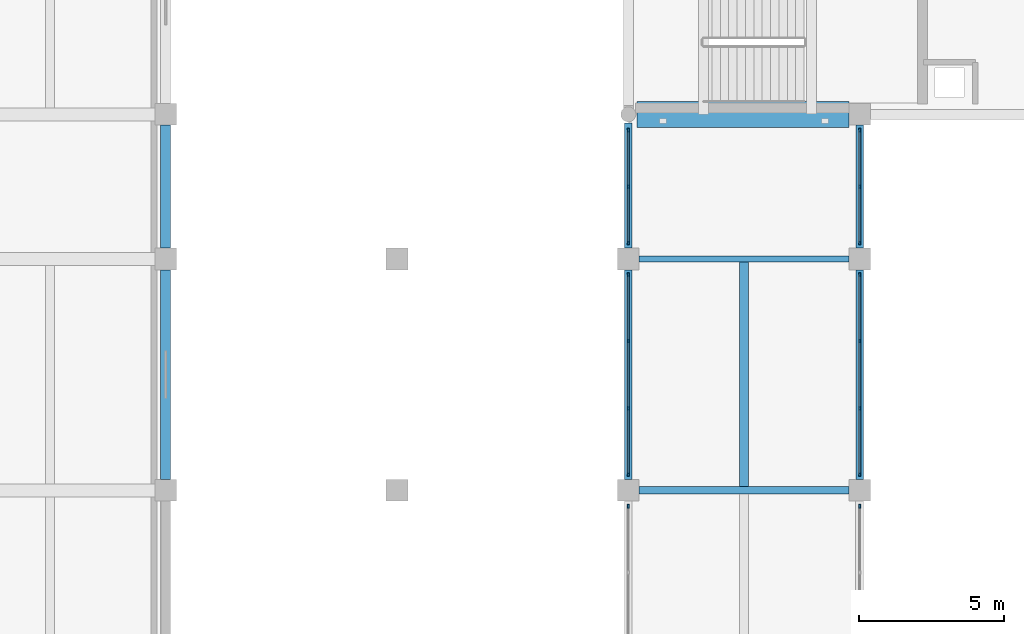
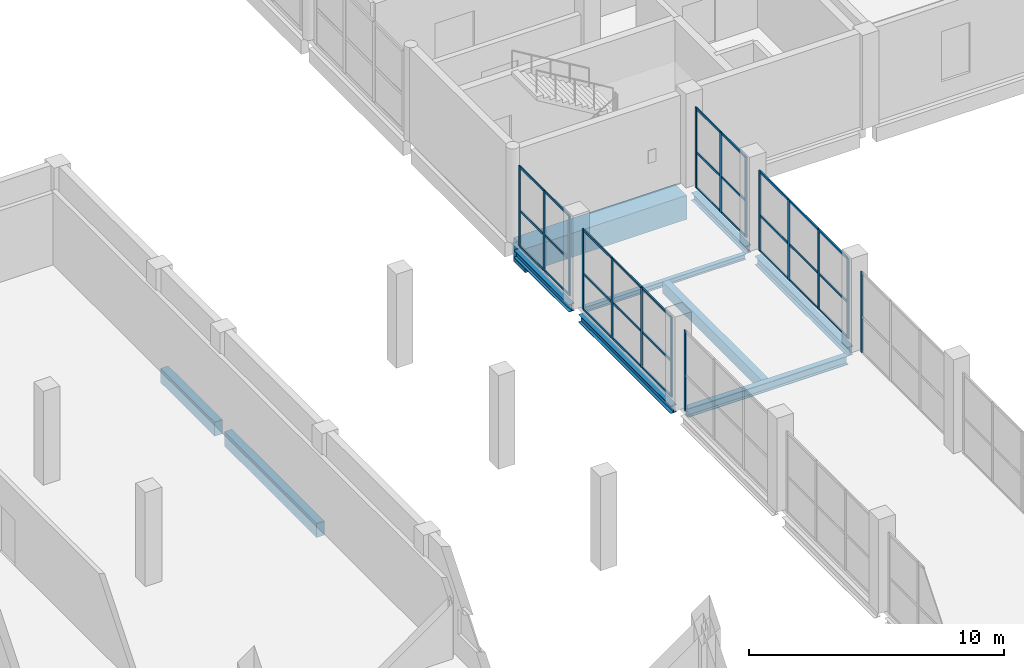
# One storey, part 11 of 53: 46 members, 10 beams, 6 elements without a shape of their own.
"""IFC4 building model written with IfcOpenShell, lengths in metres."""

import ifcopenshell
import ifcopenshell.guid

model = None  # the IFC model being written
_history = None  # IfcOwnerHistory: only IFC2X3 demands one
_inside = {}  # id of a spatial element -> (the spatial element, [elements in it])
_under = {}  # id of a project, library or spatial element -> (it, [spatial elements below it])
_declared = {}  # id of a project -> (the project, [libraries it declares])
_typed = {}  # id of a type object -> (the type object, [elements of that type])
_made_of = {}  # id of a material, layer set ... -> (it, [elements and type objects made of it])


def new_model(schema):
    """Start an empty IFC model of exactly this schema.

    Asked for "IFC4X3", IfcOpenShell would pick the latest addendum, in which some entities
    have other attributes; the version numbers below select the first issue.
    IFC2X3 requires an IfcOwnerHistory on every rooted entity: one is made here for all.
    """
    global model, _history
    if schema == "IFC4X3":
        model = ifcopenshell.file(schema_version=(4, 3, 0, 0))
    else:
        model = ifcopenshell.file(schema=schema)
    _inside.clear()
    _under.clear()
    _declared.clear()
    _typed.clear()
    _made_of.clear()
    _history = None
    if model.schema == "IFC2X3":
        org = make("IfcOrganization", Name="unknown")
        user = make(
            "IfcPersonAndOrganization",
            ThePerson=make("IfcPerson", FamilyName="unknown"),
            TheOrganization=org,
        )
        app = make(
            "IfcApplication",
            ApplicationDeveloper=org,
            Version="unknown",
            ApplicationFullName="unknown",
            ApplicationIdentifier="unknown",
        )
        _history = make(
            "IfcOwnerHistory",
            OwningUser=user,
            OwningApplication=app,
            ChangeAction="ADDED",
            CreationDate=0,
        )
    return model


def make(cls, **values):
    """One entity of the class cls with the attributes given. An attribute that is None is left unset."""
    return model.create_entity(
        cls, **{name: value for name, value in values.items() if value is not None}
    )


def rooted(cls, **values):
    """An entity with a GlobalId (a new one), such as an element, a storey or a relation."""
    return make(cls, GlobalId=ifcopenshell.guid.new(), OwnerHistory=_history, **values)


def si_unit(unit_type, name, prefix=None):
    """IfcSIUnit, for example si_unit("LENGTHUNIT", "METRE", prefix="MILLI")."""
    return make("IfcSIUnit", UnitType=unit_type, Prefix=prefix, Name=name)


def assignment(units):
    """IfcUnitAssignment: the units of a project."""
    return None if units is None else make("IfcUnitAssignment", Units=units)


def point(xyz):
    """IfcCartesianPoint."""
    return None if xyz is None else make("IfcCartesianPoint", Coordinates=xyz)


def direction(xyz):
    """IfcDirection."""
    return None if xyz is None else make("IfcDirection", DirectionRatios=xyz)


def frame(location, z_axis=None, x_axis=None):
    """IfcAxis2Placement3D, a coordinate frame: its origin and axes. An axis left out is left unset."""
    return make(
        "IfcAxis2Placement3D",
        Location=point(location),
        Axis=direction(z_axis),
        RefDirection=direction(x_axis),
    )


def frame_2d(location, x_axis=None):
    """IfcAxis2Placement2D, a coordinate frame in the plane: its origin and x axis."""
    return make(
        "IfcAxis2Placement2D", Location=point(location), RefDirection=direction(x_axis)
    )


def origin():
    """The frame at (0, 0, 0) with its axes left unset."""
    return frame((0.0, 0.0, 0.0))


def origin_2d():
    """The frame at (0, 0) in the plane with its x axis left unset."""
    return frame_2d((0.0, 0.0))


def place(relative_to, where):
    """IfcLocalPlacement: puts the frame where relative to a parent placement (None: the world)."""
    return make(
        "IfcLocalPlacement", PlacementRelTo=relative_to, RelativePlacement=where
    )


def context(
    kind, dimensions, precision=None, world=None, true_north=None, identifier=None
):
    """IfcGeometricRepresentationContext, for example the 3D "Model" context."""
    return make(
        "IfcGeometricRepresentationContext",
        ContextIdentifier=identifier,
        ContextType=kind,
        CoordinateSpaceDimension=dimensions,
        Precision=precision,
        WorldCoordinateSystem=world,
        TrueNorth=true_north,
    )


def subcontext(parent, identifier, kind, view, scale=None):
    """IfcGeometricRepresentationSubContext, for example "Body" below "Model"."""
    return make(
        "IfcGeometricRepresentationSubContext",
        ContextIdentifier=identifier,
        ContextType=kind,
        ParentContext=parent,
        TargetScale=scale,
        TargetView=view,
    )


def project(units=None, contexts=None):
    """IfcProject with its units and contexts."""
    return rooted(
        "IfcProject",
        Name="project",
        RepresentationContexts=contexts,
        UnitsInContext=assignment(units),
    )


def spatial(cls, under=None, at=None, **own):
    """A site, building, storey or space (cls), placed at a placement, below another one or the project."""
    s = rooted(cls, ObjectPlacement=at, **own)
    if under is not None:
        _under.setdefault(under.id(), (under, []))[1].append(s)
    return s


def profile(cls, at=None, kind="AREA", **sizes):
    """A parametric profile (cls). Its sizes go by their IFC names, for example OverallWidth=200.0."""
    return make(cls, ProfileType=kind, Position=at, **sizes)


def rectangle(**sizes):
    """IfcRectangleProfileDef."""
    return profile("IfcRectangleProfileDef", **sizes)


def i_section(**sizes):
    """IfcIShapeProfileDef."""
    return profile("IfcIShapeProfileDef", **sizes)


def extrude(swept, where, along, depth):
    """IfcExtrudedAreaSolid: the profile swept, set in the frame where, extruded along a direction by depth."""
    return make(
        "IfcExtrudedAreaSolid",
        SweptArea=swept,
        Position=where,
        ExtrudedDirection=direction(along),
        Depth=depth,
    )


def shape(context_of_items, identifier, shape_type, items):
    """IfcShapeRepresentation: the items that make up one representation, for example the "Body"."""
    return make(
        "IfcShapeRepresentation",
        ContextOfItems=context_of_items,
        RepresentationIdentifier=identifier,
        RepresentationType=shape_type,
        Items=items,
    )


def material(Name=None, Category=None):
    """IfcMaterial."""
    return make("IfcMaterial", Name=Name, Category=Category)


def layer(
    of_material, thickness, ventilated=None, Name=None, Category=None, Priority=None
):
    """IfcMaterialLayer: one layer of a wall or slab, of a material (None: an air gap)."""
    return make(
        "IfcMaterialLayer",
        Material=of_material,
        LayerThickness=thickness,
        IsVentilated=ventilated,
        Name=Name,
        Category=Category,
        Priority=Priority,
    )


def layer_set(layers, Name=None):
    """IfcMaterialLayerSet."""
    return make("IfcMaterialLayerSet", MaterialLayers=layers, LayerSetName=Name)


def material_profile(
    of_material, cross_section, Name=None, Category=None, Priority=None
):
    """IfcMaterialProfile: a cross section and its material."""
    return make(
        "IfcMaterialProfile",
        Name=Name,
        Material=of_material,
        Profile=cross_section,
        Priority=Priority,
        Category=Category,
    )


def profile_set(profiles, Name=None, composite=None):
    """IfcMaterialProfileSet."""
    return make(
        "IfcMaterialProfileSet",
        Name=Name,
        MaterialProfiles=profiles,
        CompositeProfile=composite,
    )


def made_of(thing, what):
    """Note that an element or type object is made of a material, layer set ...; save() writes the relation."""
    if what is not None:
        _made_of.setdefault(what.id(), (what, []))[1].append(thing)
    return thing


def type_object(cls, material=None, **own):
    """A type object (cls), such as IfcWallType, which elements share."""
    return made_of(rooted(cls, **own), material)


def element(
    cls,
    number,
    at=None,
    inside=None,
    cuts=None,
    type_object=None,
    material=None,
    context=None,
    identifier="Body",
    shape_type=None,
    held_by="IfcProductDefinitionShape",
    body=None,
    shapes=None,
    **own,
):
    """One element of the class cls, such as IfcWall. Its Tag is "e" and its number.

    at: its placement. inside: the storey or other place that contains it. cuts: it is an
    opening in that element (IfcRelVoidsElement). A single representation is given by context,
    identifier, shape_type and body (its items); several are given by shapes. held_by: the class
    of the entity that holds the representations. save() writes the other relations.
    """
    e = rooted(cls, Tag="e%d" % number, ObjectPlacement=at, **own)
    if body is not None:
        shapes = [shape(context, identifier, shape_type, body)]
    if shapes is not None:
        e.Representation = make(held_by, Representations=shapes)
    if inside is not None:
        _inside.setdefault(inside.id(), (inside, []))[1].append(e)
    if cuts is not None:
        rooted(
            "IfcRelVoidsElement", RelatingBuildingElement=cuts, RelatedOpeningElement=e
        )
    if type_object is not None:
        _typed.setdefault(type_object.id(), (type_object, []))[1].append(e)
    return made_of(e, material)


def aggregate(whole, parts):
    """IfcRelAggregates: a whole, such as a stair, and the parts it consists of."""
    return rooted("IfcRelAggregates", RelatingObject=whole, RelatedObjects=parts)


def save(model, path):
    """Write the relations noted so far, then the file.

    IfcRelAggregates (storeys below a building ...), IfcRelContainedInSpatialStructure (elements
    in a storey), IfcRelDefinesByType, IfcRelAssociatesMaterial and IfcRelDeclares: one each for
    every whole, place, type object, material and project.
    """
    for whole, parts in _under.values():
        aggregate(whole, parts)
    for where, things in _inside.values():
        rooted(
            "IfcRelContainedInSpatialStructure",
            RelatedElements=things,
            RelatingStructure=where,
        )
    for kind, things in _typed.values():
        rooted("IfcRelDefinesByType", RelatedObjects=things, RelatingType=kind)
    for what, things in _made_of.values():
        rooted("IfcRelAssociatesMaterial", RelatedObjects=things, RelatingMaterial=what)
    for by, libraries in _declared.values():
        rooted("IfcRelDeclares", RelatingContext=by, RelatedDefinitions=libraries)
    model.write(path)


model = new_model("IFC4")

# Units and contexts
model_context = context("Model", 3, precision=1e-05, world=origin(), true_north=direction((0.0, 1.0)))
body_context = subcontext(model_context, "Body", "Model", "MODEL_VIEW")
ifc_project = project(units=[si_unit("LENGTHUNIT", "METRE"), si_unit("AREAUNIT", "SQUARE_METRE"), si_unit("VOLUMEUNIT", "CUBIC_METRE"), si_unit("PLANEANGLEUNIT", "RADIAN"), si_unit("MASSUNIT", "GRAM", prefix="KILO")], contexts=[model_context])

# Site, building, storey
site_placement = place(None, origin())
site = spatial("IfcSite", under=ifc_project, at=site_placement, CompositionType="ELEMENT")
building_placement = place(site_placement, origin())
building = spatial("IfcBuilding", under=site, at=building_placement, Name="Qorikala Patio Media Centre", CompositionType="ELEMENT")
storey_placement = place(building_placement, frame((0.0, 0.0, 5.39990234375)))
storey = spatial("IfcBuildingStorey", under=building, at=storey_placement, Name="L01", CompositionType="ELEMENT", Elevation=5.39990234375)

# Beam
ifc_material_1 = material(Name="Concrete C35/45", Category="concrete")
ifc_material_profile_1 = material_profile(ifc_material_1, rectangle(XDim=0.89990234375, YDim=1.14990234375, at=origin_2d()), Name="RC 900x1150")
ifc_profile_set_1 = profile_set([ifc_material_profile_1], Name="Concrete C35/45")
beam_type_1 = type_object("IfcBeamType", Name="BM-TR900X1150", PredefinedType="BEAM", material=ifc_profile_set_1)
beam_1_placement = place(storey_placement, frame((51.300048828125, 64.0, -0.875), z_axis=(1.0, 0.0, 0.0), x_axis=(0.0, 1.0, 0.0)))
element("IfcBeam", 1, at=beam_1_placement, inside=storey, type_object=beam_type_1, Name="L01 Grid 64 Beam 0502", PredefinedType="BEAM", context=body_context, shape_type="SweptSolid", body=[
    extrude(rectangle(XDim=0.89990234375, YDim=1.14990234375, at=origin_2d()), origin(), (0.0, 0.0, 1.0), 7.324951171875),
])

# Curtain wall, member
ifc_material_2 = material(Name="Bronze Anodised Aluminium and Low-E Glass", Category="aluminium")
ifc_layer_1 = layer(ifc_material_2, 0.159912109375)
ifc_layer_set_1 = layer_set([ifc_layer_1], Name="Bronze Anodised Aluminium and Low-E Glass")
curtain_wall_type_1 = type_object("IfcCurtainWallType", Name="CW-BRG-696X385", PredefinedType="USERDEFINED", material=ifc_layer_set_1)
curtain_wall_1_placement = place(storey_placement, origin())
curtain_wall_1 = element("IfcCurtainWall", 2, at=curtain_wall_1_placement, inside=storey, type_object=curtain_wall_type_1, Name="L01 Courtyard Curtain Wall 018", ObjectType="COURTYARD CURTAIN WALL", PredefinedType="USERDEFINED")
ifc_material_3 = material(Name="Bronze Anodised Aluminium", Category="aluminium")
ifc_material_profile_2 = material_profile(ifc_material_3, rectangle(XDim=0.06005859375, YDim=0.1298828125, at=origin_2d()), Name="ALU MULLION 60x130")
ifc_profile_set_2 = profile_set([ifc_material_profile_2], Name="Bronze Anodised Aluminium")
member_type_1 = type_object("IfcMemberType", Name="CWM-60X130", PredefinedType="MULLION", material=ifc_profile_set_2)
member_1_placement = place(storey_placement, frame((51.0, 50.449951171875, 0.0), z_axis=(0.0, 0.0, 1.0), x_axis=(-1.0, 0.0, 0.0)))
member_1 = element("IfcMember", 3, at=member_1_placement, type_object=member_type_1, Name="CWB696385 mullion 4", PredefinedType="MULLION", context=body_context, shape_type="SweptSolid", body=[
    extrude(rectangle(XDim=0.06005859375, YDim=0.1298828125, at=origin_2d()), origin(), (0.0, 0.0, 1.0), 3.85009765625),
])
aggregate(curtain_wall_1, [member_1])

# Curtain wall, members
curtain_wall_2_placement = place(storey_placement, origin())
curtain_wall_2 = element("IfcCurtainWall", 4, at=curtain_wall_2_placement, inside=storey, type_object=curtain_wall_type_1, Name="L01 Courtyard Curtain Wall 019", ObjectType="COURTYARD CURTAIN WALL", PredefinedType="USERDEFINED")
member_2_placement = place(storey_placement, frame((51.0, 51.550048828125, 0.0), z_axis=(0.0, 0.0, 1.0), x_axis=(-1.0, 0.0, 0.0)))
member_2 = element("IfcMember", 5, at=member_2_placement, type_object=member_type_1, Name="CWB696385 mullion 1", PredefinedType="MULLION", context=body_context, shape_type="SweptSolid", body=[
    extrude(rectangle(XDim=0.06005859375, YDim=0.1298828125, at=origin_2d()), origin(), (0.0, 0.0, 1.0), 3.85009765625),
])
member_3_placement = place(storey_placement, frame((51.0, 53.840087890625, 0.0), z_axis=(0.0, 0.0, 1.0), x_axis=(-1.0, 0.0, 0.0)))
member_3 = element("IfcMember", 6, at=member_3_placement, type_object=member_type_1, Name="CWB696385 mullion 2", PredefinedType="MULLION", context=body_context, shape_type="SweptSolid", body=[
    extrude(rectangle(XDim=0.06005859375, YDim=0.1298828125, at=origin_2d()), origin(), (0.0, 0.0, 1.0), 3.85009765625),
])
member_4_placement = place(storey_placement, frame((51.0, 56.159912109375, 0.0), z_axis=(0.0, 0.0, 1.0), x_axis=(-1.0, 0.0, 0.0)))
member_4 = element("IfcMember", 7, at=member_4_placement, type_object=member_type_1, Name="CWB696385 mullion 3", PredefinedType="MULLION", context=body_context, shape_type="SweptSolid", body=[
    extrude(rectangle(XDim=0.06005859375, YDim=0.1298828125, at=origin_2d()), origin(), (0.0, 0.0, 1.0), 3.85009765625),
])
member_5_placement = place(storey_placement, frame((51.0, 58.449951171875, 0.0), z_axis=(0.0, 0.0, 1.0), x_axis=(-1.0, 0.0, 0.0)))
member_5 = element("IfcMember", 8, at=member_5_placement, type_object=member_type_1, Name="CWB696385 mullion 4", PredefinedType="MULLION", context=body_context, shape_type="SweptSolid", body=[
    extrude(rectangle(XDim=0.06005859375, YDim=0.1298828125, at=origin_2d()), origin(), (0.0, 0.0, 1.0), 3.85009765625),
])

ifc_layer_2 = layer(ifc_material_2, 0.159912109375)
ifc_layer_set_2 = layer_set([ifc_layer_2], Name="Bronze Anodised Aluminium and Low-E Glass")
curtain_wall_type_2 = type_object("IfcCurtainWallType", Name="CW-BRG-396X385", PredefinedType="USERDEFINED", material=ifc_layer_set_2)
curtain_wall_3_placement = place(storey_placement, origin())
curtain_wall_3 = element("IfcCurtainWall", 9, at=curtain_wall_3_placement, inside=storey, type_object=curtain_wall_type_2, Name="L01 Courtyard Curtain Wall 020", ObjectType="COURTYARD CURTAIN WALL", PredefinedType="USERDEFINED")
member_6_placement = place(storey_placement, frame((51.0, 59.550048828125, 0.0), z_axis=(0.0, 0.0, 1.0), x_axis=(-1.0, 0.0, 0.0)))
member_6 = element("IfcMember", 10, at=member_6_placement, type_object=member_type_1, Name="CWB396385 mullion 1", PredefinedType="MULLION", context=body_context, shape_type="SweptSolid", body=[
    extrude(rectangle(XDim=0.06005859375, YDim=0.1298828125, at=origin_2d()), origin(), (0.0, 0.0, 1.0), 3.85009765625),
])
member_7_placement = place(storey_placement, frame((51.0, 61.5, 0.0), z_axis=(0.0, 0.0, 1.0), x_axis=(-1.0, 0.0, 0.0)))
member_7 = element("IfcMember", 11, at=member_7_placement, type_object=member_type_1, Name="CWB396385 mullion 2", PredefinedType="MULLION", context=body_context, shape_type="SweptSolid", body=[
    extrude(rectangle(XDim=0.06005859375, YDim=0.1298828125, at=origin_2d()), origin(), (0.0, 0.0, 1.0), 3.85009765625),
])
member_8_placement = place(storey_placement, frame((51.0, 63.449951171875, 0.0), z_axis=(0.0, 0.0, 1.0), x_axis=(-1.0, 0.0, 0.0)))
member_8 = element("IfcMember", 12, at=member_8_placement, type_object=member_type_1, Name="CWB396385 mullion 3", PredefinedType="MULLION", context=body_context, shape_type="SweptSolid", body=[
    extrude(rectangle(XDim=0.06005859375, YDim=0.1298828125, at=origin_2d()), origin(), (0.0, 0.0, 1.0), 3.85009765625),
])

curtain_wall_4_placement = place(storey_placement, origin())
curtain_wall_4 = element("IfcCurtainWall", 13, at=curtain_wall_4_placement, inside=storey, type_object=curtain_wall_type_2, Name="L01 Courtyard Curtain Wall 025", ObjectType="COURTYARD CURTAIN WALL", PredefinedType="USERDEFINED")
member_9_placement = place(storey_placement, frame((59.0, 63.449951171875, 0.0), z_axis=(0.0, 0.0, 1.0), x_axis=(1.0, 0.0, 0.0)))
member_9 = element("IfcMember", 14, at=member_9_placement, type_object=member_type_1, Name="CWB396385 mullion 1", PredefinedType="MULLION", context=body_context, shape_type="SweptSolid", body=[
    extrude(rectangle(XDim=0.06005859375, YDim=0.1298828125, at=origin_2d()), origin(), (0.0, 0.0, 1.0), 3.85009765625),
])
member_10_placement = place(storey_placement, frame((59.0, 61.5, 0.0), z_axis=(0.0, 0.0, 1.0), x_axis=(1.0, 0.0, 0.0)))
member_10 = element("IfcMember", 15, at=member_10_placement, type_object=member_type_1, Name="CWB396385 mullion 2", PredefinedType="MULLION", context=body_context, shape_type="SweptSolid", body=[
    extrude(rectangle(XDim=0.06005859375, YDim=0.1298828125, at=origin_2d()), origin(), (0.0, 0.0, 1.0), 3.85009765625),
])
member_11_placement = place(storey_placement, frame((59.0, 59.550048828125, 0.0), z_axis=(0.0, 0.0, 1.0), x_axis=(1.0, 0.0, 0.0)))
member_11 = element("IfcMember", 16, at=member_11_placement, type_object=member_type_1, Name="CWB396385 mullion 3", PredefinedType="MULLION", context=body_context, shape_type="SweptSolid", body=[
    extrude(rectangle(XDim=0.06005859375, YDim=0.1298828125, at=origin_2d()), origin(), (0.0, 0.0, 1.0), 3.85009765625),
])

curtain_wall_5_placement = place(storey_placement, origin())
curtain_wall_5 = element("IfcCurtainWall", 17, at=curtain_wall_5_placement, inside=storey, type_object=curtain_wall_type_1, Name="L01 Courtyard Curtain Wall 026", ObjectType="COURTYARD CURTAIN WALL", PredefinedType="USERDEFINED")
member_12_placement = place(storey_placement, frame((59.0, 58.449951171875, 0.0), z_axis=(0.0, 0.0, 1.0), x_axis=(1.0, 0.0, 0.0)))
member_12 = element("IfcMember", 18, at=member_12_placement, type_object=member_type_1, Name="CWB696385 mullion 1", PredefinedType="MULLION", context=body_context, shape_type="SweptSolid", body=[
    extrude(rectangle(XDim=0.06005859375, YDim=0.1298828125, at=origin_2d()), origin(), (0.0, 0.0, 1.0), 3.85009765625),
])
member_13_placement = place(storey_placement, frame((59.0, 56.159912109375, 0.0), z_axis=(0.0, 0.0, 1.0), x_axis=(1.0, 0.0, 0.0)))
member_13 = element("IfcMember", 19, at=member_13_placement, type_object=member_type_1, Name="CWB696385 mullion 2", PredefinedType="MULLION", context=body_context, shape_type="SweptSolid", body=[
    extrude(rectangle(XDim=0.06005859375, YDim=0.1298828125, at=origin_2d()), origin(), (0.0, 0.0, 1.0), 3.85009765625),
])
member_14_placement = place(storey_placement, frame((59.0, 53.840087890625, 0.0), z_axis=(0.0, 0.0, 1.0), x_axis=(1.0, 0.0, 0.0)))
member_14 = element("IfcMember", 20, at=member_14_placement, type_object=member_type_1, Name="CWB696385 mullion 3", PredefinedType="MULLION", context=body_context, shape_type="SweptSolid", body=[
    extrude(rectangle(XDim=0.06005859375, YDim=0.1298828125, at=origin_2d()), origin(), (0.0, 0.0, 1.0), 3.85009765625),
])
member_15_placement = place(storey_placement, frame((59.0, 51.550048828125, 0.0), z_axis=(0.0, 0.0, 1.0), x_axis=(1.0, 0.0, 0.0)))
member_15 = element("IfcMember", 21, at=member_15_placement, type_object=member_type_1, Name="CWB696385 mullion 4", PredefinedType="MULLION", context=body_context, shape_type="SweptSolid", body=[
    extrude(rectangle(XDim=0.06005859375, YDim=0.1298828125, at=origin_2d()), origin(), (0.0, 0.0, 1.0), 3.85009765625),
])

# Curtain wall, member
curtain_wall_6_placement = place(storey_placement, origin())
curtain_wall_6 = element("IfcCurtainWall", 22, at=curtain_wall_6_placement, inside=storey, type_object=curtain_wall_type_1, Name="L01 Courtyard Curtain Wall 027", ObjectType="COURTYARD CURTAIN WALL", PredefinedType="USERDEFINED")
member_16_placement = place(storey_placement, frame((59.0, 50.449951171875, 0.0), z_axis=(0.0, 0.0, 1.0), x_axis=(1.0, 0.0, 0.0)))
member_16 = element("IfcMember", 23, at=member_16_placement, type_object=member_type_1, Name="CWB696385 mullion 1", PredefinedType="MULLION", context=body_context, shape_type="SweptSolid", body=[
    extrude(rectangle(XDim=0.06005859375, YDim=0.1298828125, at=origin_2d()), origin(), (0.0, 0.0, 1.0), 3.85009765625),
])
aggregate(curtain_wall_6, [member_16])

# Member
ifc_material_profile_3 = material_profile(ifc_material_3, rectangle(XDim=0.06005859375, YDim=0.10009765625, at=origin_2d()), Name="ALU TRANSOM 60x100")
ifc_profile_set_3 = profile_set([ifc_material_profile_3], Name="Bronze Anodised Aluminium")
member_type_2 = type_object("IfcMemberType", Name="CWT-60X100", PredefinedType="USERDEFINED", material=ifc_profile_set_3)
member_17_placement = place(storey_placement, frame((51.0, 51.580078125, 0.030029296875), z_axis=(0.0, 1.0, 0.0), x_axis=(-1.0, 0.0, 0.0)))
member_17 = element("IfcMember", 24, at=member_17_placement, type_object=member_type_2, Name="CWB696385 transom 1.1", ObjectType="TRANSOM", PredefinedType="USERDEFINED", context=body_context, shape_type="SweptSolid", body=[
    extrude(rectangle(XDim=0.06005859375, YDim=0.10009765625, at=origin_2d()), origin(), (0.0, 0.0, 1.0), 2.22998046875),
])

member_18_placement = place(storey_placement, frame((51.0, 51.580078125, 1.732666015625), z_axis=(0.0, 1.0, 0.0), x_axis=(-1.0, 0.0, 0.0)))
member_18 = element("IfcMember", 25, at=member_18_placement, type_object=member_type_2, Name="CWB696385 transom 1.2", ObjectType="TRANSOM", PredefinedType="USERDEFINED", context=body_context, shape_type="SweptSolid", body=[
    extrude(rectangle(XDim=0.06005859375, YDim=0.10009765625, at=origin_2d()), origin(), (0.0, 0.0, 1.0), 2.22998046875),
])

member_19_placement = place(storey_placement, frame((51.0, 51.580078125, 3.820068359375), z_axis=(0.0, 1.0, 0.0), x_axis=(-1.0, 0.0, 0.0)))
member_19 = element("IfcMember", 26, at=member_19_placement, type_object=member_type_2, Name="CWB696385 transom 1.3", ObjectType="TRANSOM", PredefinedType="USERDEFINED", context=body_context, shape_type="SweptSolid", body=[
    extrude(rectangle(XDim=0.06005859375, YDim=0.10009765625, at=origin_2d()), origin(), (0.0, 0.0, 1.0), 2.22998046875),
])

member_20_placement = place(storey_placement, frame((51.0, 53.8701171875, 0.030029296875), z_axis=(0.0, 1.0, 0.0), x_axis=(-1.0, 0.0, 0.0)))
member_20 = element("IfcMember", 27, at=member_20_placement, type_object=member_type_2, Name="CWB696385 transom 2.1", ObjectType="TRANSOM", PredefinedType="USERDEFINED", context=body_context, shape_type="SweptSolid", body=[
    extrude(rectangle(XDim=0.06005859375, YDim=0.10009765625, at=origin_2d()), origin(), (0.0, 0.0, 1.0), 2.259765625),
])

member_21_placement = place(storey_placement, frame((51.0, 53.8701171875, 1.732666015625), z_axis=(0.0, 1.0, 0.0), x_axis=(-1.0, 0.0, 0.0)))
member_21 = element("IfcMember", 28, at=member_21_placement, type_object=member_type_2, Name="CWB696385 transom 2.2", ObjectType="TRANSOM", PredefinedType="USERDEFINED", context=body_context, shape_type="SweptSolid", body=[
    extrude(rectangle(XDim=0.06005859375, YDim=0.10009765625, at=origin_2d()), origin(), (0.0, 0.0, 1.0), 2.259765625),
])

member_22_placement = place(storey_placement, frame((51.0, 53.8701171875, 3.820068359375), z_axis=(0.0, 1.0, 0.0), x_axis=(-1.0, 0.0, 0.0)))
member_22 = element("IfcMember", 29, at=member_22_placement, type_object=member_type_2, Name="CWB696385 transom 2.3", ObjectType="TRANSOM", PredefinedType="USERDEFINED", context=body_context, shape_type="SweptSolid", body=[
    extrude(rectangle(XDim=0.06005859375, YDim=0.10009765625, at=origin_2d()), origin(), (0.0, 0.0, 1.0), 2.259765625),
])

member_23_placement = place(storey_placement, frame((51.0, 56.18994140625, 0.030029296875), z_axis=(0.0, 1.0, 0.0), x_axis=(-1.0, 0.0, 0.0)))
member_23 = element("IfcMember", 30, at=member_23_placement, type_object=member_type_2, Name="CWB696385 transom 3.1", ObjectType="TRANSOM", PredefinedType="USERDEFINED", context=body_context, shape_type="SweptSolid", body=[
    extrude(rectangle(XDim=0.06005859375, YDim=0.10009765625, at=origin_2d()), origin(), (0.0, 0.0, 1.0), 2.22998046875),
])

member_24_placement = place(storey_placement, frame((51.0, 56.18994140625, 1.732666015625), z_axis=(0.0, 1.0, 0.0), x_axis=(-1.0, 0.0, 0.0)))
member_24 = element("IfcMember", 31, at=member_24_placement, type_object=member_type_2, Name="CWB696385 transom 3.2", ObjectType="TRANSOM", PredefinedType="USERDEFINED", context=body_context, shape_type="SweptSolid", body=[
    extrude(rectangle(XDim=0.06005859375, YDim=0.10009765625, at=origin_2d()), origin(), (0.0, 0.0, 1.0), 2.22998046875),
])

member_25_placement = place(storey_placement, frame((51.0, 56.18994140625, 3.820068359375), z_axis=(0.0, 1.0, 0.0), x_axis=(-1.0, 0.0, 0.0)))
member_25 = element("IfcMember", 32, at=member_25_placement, type_object=member_type_2, Name="CWB696385 transom 3.3", ObjectType="TRANSOM", PredefinedType="USERDEFINED", context=body_context, shape_type="SweptSolid", body=[
    extrude(rectangle(XDim=0.06005859375, YDim=0.10009765625, at=origin_2d()), origin(), (0.0, 0.0, 1.0), 2.22998046875),
])

aggregate(curtain_wall_2, [member_2, member_3, member_4, member_5, member_17, member_18, member_19, member_20, member_21, member_22, member_23, member_24, member_25])

member_26_placement = place(storey_placement, frame((51.0, 59.580078125, 0.030029296875), z_axis=(0.0, 1.0, 0.0), x_axis=(-1.0, 0.0, 0.0)))
member_26 = element("IfcMember", 33, at=member_26_placement, type_object=member_type_2, Name="CWB396385 transom 1.1", ObjectType="TRANSOM", PredefinedType="USERDEFINED", context=body_context, shape_type="SweptSolid", body=[
    extrude(rectangle(XDim=0.06005859375, YDim=0.10009765625, at=origin_2d()), origin(), (0.0, 0.0, 1.0), 1.889892578125),
])

member_27_placement = place(storey_placement, frame((51.0, 59.580078125, 1.732666015625), z_axis=(0.0, 1.0, 0.0), x_axis=(-1.0, 0.0, 0.0)))
member_27 = element("IfcMember", 34, at=member_27_placement, type_object=member_type_2, Name="CWB396385 transom 1.2", ObjectType="TRANSOM", PredefinedType="USERDEFINED", context=body_context, shape_type="SweptSolid", body=[
    extrude(rectangle(XDim=0.06005859375, YDim=0.10009765625, at=origin_2d()), origin(), (0.0, 0.0, 1.0), 1.889892578125),
])

member_28_placement = place(storey_placement, frame((51.0, 59.580078125, 3.820068359375), z_axis=(0.0, 1.0, 0.0), x_axis=(-1.0, 0.0, 0.0)))
member_28 = element("IfcMember", 35, at=member_28_placement, type_object=member_type_2, Name="CWB396385 transom 1.3", ObjectType="TRANSOM", PredefinedType="USERDEFINED", context=body_context, shape_type="SweptSolid", body=[
    extrude(rectangle(XDim=0.06005859375, YDim=0.10009765625, at=origin_2d()), origin(), (0.0, 0.0, 1.0), 1.889892578125),
])

member_29_placement = place(storey_placement, frame((51.0, 61.530029296875, 0.030029296875), z_axis=(0.0, 1.0, 0.0), x_axis=(-1.0, 0.0, 0.0)))
member_29 = element("IfcMember", 36, at=member_29_placement, type_object=member_type_2, Name="CWB396385 transom 2.1", ObjectType="TRANSOM", PredefinedType="USERDEFINED", context=body_context, shape_type="SweptSolid", body=[
    extrude(rectangle(XDim=0.06005859375, YDim=0.10009765625, at=origin_2d()), origin(), (0.0, 0.0, 1.0), 1.889892578125),
])

member_30_placement = place(storey_placement, frame((51.0, 61.530029296875, 1.732666015625), z_axis=(0.0, 1.0, 0.0), x_axis=(-1.0, 0.0, 0.0)))
member_30 = element("IfcMember", 37, at=member_30_placement, type_object=member_type_2, Name="CWB396385 transom 2.2", ObjectType="TRANSOM", PredefinedType="USERDEFINED", context=body_context, shape_type="SweptSolid", body=[
    extrude(rectangle(XDim=0.06005859375, YDim=0.10009765625, at=origin_2d()), origin(), (0.0, 0.0, 1.0), 1.889892578125),
])

member_31_placement = place(storey_placement, frame((51.0, 61.530029296875, 3.820068359375), z_axis=(0.0, 1.0, 0.0), x_axis=(-1.0, 0.0, 0.0)))
member_31 = element("IfcMember", 38, at=member_31_placement, type_object=member_type_2, Name="CWB396385 transom 2.3", ObjectType="TRANSOM", PredefinedType="USERDEFINED", context=body_context, shape_type="SweptSolid", body=[
    extrude(rectangle(XDim=0.06005859375, YDim=0.10009765625, at=origin_2d()), origin(), (0.0, 0.0, 1.0), 1.889892578125),
])

aggregate(curtain_wall_3, [member_6, member_7, member_8, member_26, member_27, member_28, member_29, member_30, member_31])

member_32_placement = place(storey_placement, frame((59.0, 63.419921875, 0.030029296875), z_axis=(0.0, -1.0, 0.0), x_axis=(1.0, 0.0, 0.0)))
member_32 = element("IfcMember", 39, at=member_32_placement, type_object=member_type_2, Name="CWB396385 transom 1.1", ObjectType="TRANSOM", PredefinedType="USERDEFINED", context=body_context, shape_type="SweptSolid", body=[
    extrude(rectangle(XDim=0.06005859375, YDim=0.10009765625, at=origin_2d()), origin(), (0.0, 0.0, 1.0), 1.889892578125),
])

member_33_placement = place(storey_placement, frame((59.0, 63.419921875, 1.732666015625), z_axis=(0.0, -1.0, 0.0), x_axis=(1.0, 0.0, 0.0)))
member_33 = element("IfcMember", 40, at=member_33_placement, type_object=member_type_2, Name="CWB396385 transom 1.2", ObjectType="TRANSOM", PredefinedType="USERDEFINED", context=body_context, shape_type="SweptSolid", body=[
    extrude(rectangle(XDim=0.06005859375, YDim=0.10009765625, at=origin_2d()), origin(), (0.0, 0.0, 1.0), 1.889892578125),
])

member_34_placement = place(storey_placement, frame((59.0, 63.419921875, 3.820068359375), z_axis=(0.0, -1.0, 0.0), x_axis=(1.0, 0.0, 0.0)))
member_34 = element("IfcMember", 41, at=member_34_placement, type_object=member_type_2, Name="CWB396385 transom 1.3", ObjectType="TRANSOM", PredefinedType="USERDEFINED", context=body_context, shape_type="SweptSolid", body=[
    extrude(rectangle(XDim=0.06005859375, YDim=0.10009765625, at=origin_2d()), origin(), (0.0, 0.0, 1.0), 1.889892578125),
])

member_35_placement = place(storey_placement, frame((59.0, 61.469970703125, 0.030029296875), z_axis=(0.0, -1.0, 0.0), x_axis=(1.0, 0.0, 0.0)))
member_35 = element("IfcMember", 42, at=member_35_placement, type_object=member_type_2, Name="CWB396385 transom 2.1", ObjectType="TRANSOM", PredefinedType="USERDEFINED", context=body_context, shape_type="SweptSolid", body=[
    extrude(rectangle(XDim=0.06005859375, YDim=0.10009765625, at=origin_2d()), origin(), (0.0, 0.0, 1.0), 1.889892578125),
])

member_36_placement = place(storey_placement, frame((59.0, 61.469970703125, 1.732666015625), z_axis=(0.0, -1.0, 0.0), x_axis=(1.0, 0.0, 0.0)))
member_36 = element("IfcMember", 43, at=member_36_placement, type_object=member_type_2, Name="CWB396385 transom 2.2", ObjectType="TRANSOM", PredefinedType="USERDEFINED", context=body_context, shape_type="SweptSolid", body=[
    extrude(rectangle(XDim=0.06005859375, YDim=0.10009765625, at=origin_2d()), origin(), (0.0, 0.0, 1.0), 1.889892578125),
])

member_37_placement = place(storey_placement, frame((59.0, 61.469970703125, 3.820068359375), z_axis=(0.0, -1.0, 0.0), x_axis=(1.0, 0.0, 0.0)))
member_37 = element("IfcMember", 44, at=member_37_placement, type_object=member_type_2, Name="CWB396385 transom 2.3", ObjectType="TRANSOM", PredefinedType="USERDEFINED", context=body_context, shape_type="SweptSolid", body=[
    extrude(rectangle(XDim=0.06005859375, YDim=0.10009765625, at=origin_2d()), origin(), (0.0, 0.0, 1.0), 1.889892578125),
])

aggregate(curtain_wall_4, [member_9, member_10, member_11, member_32, member_33, member_34, member_35, member_36, member_37])

member_38_placement = place(storey_placement, frame((59.0, 58.419921875, 0.030029296875), z_axis=(0.0, -1.0, 0.0), x_axis=(1.0, 0.0, 0.0)))
member_38 = element("IfcMember", 45, at=member_38_placement, type_object=member_type_2, Name="CWB696385 transom 1.1", ObjectType="TRANSOM", PredefinedType="USERDEFINED", context=body_context, shape_type="SweptSolid", body=[
    extrude(rectangle(XDim=0.06005859375, YDim=0.10009765625, at=origin_2d()), origin(), (0.0, 0.0, 1.0), 2.22998046875),
])

member_39_placement = place(storey_placement, frame((59.0, 58.419921875, 1.732666015625), z_axis=(0.0, -1.0, 0.0), x_axis=(1.0, 0.0, 0.0)))
member_39 = element("IfcMember", 46, at=member_39_placement, type_object=member_type_2, Name="CWB696385 transom 1.2", ObjectType="TRANSOM", PredefinedType="USERDEFINED", context=body_context, shape_type="SweptSolid", body=[
    extrude(rectangle(XDim=0.06005859375, YDim=0.10009765625, at=origin_2d()), origin(), (0.0, 0.0, 1.0), 2.22998046875),
])

member_40_placement = place(storey_placement, frame((59.0, 58.419921875, 3.820068359375), z_axis=(0.0, -1.0, 0.0), x_axis=(1.0, 0.0, 0.0)))
member_40 = element("IfcMember", 47, at=member_40_placement, type_object=member_type_2, Name="CWB696385 transom 1.3", ObjectType="TRANSOM", PredefinedType="USERDEFINED", context=body_context, shape_type="SweptSolid", body=[
    extrude(rectangle(XDim=0.06005859375, YDim=0.10009765625, at=origin_2d()), origin(), (0.0, 0.0, 1.0), 2.22998046875),
])

member_41_placement = place(storey_placement, frame((59.0, 56.1298828125, 0.030029296875), z_axis=(0.0, -1.0, 0.0), x_axis=(1.0, 0.0, 0.0)))
member_41 = element("IfcMember", 48, at=member_41_placement, type_object=member_type_2, Name="CWB696385 transom 2.1", ObjectType="TRANSOM", PredefinedType="USERDEFINED", context=body_context, shape_type="SweptSolid", body=[
    extrude(rectangle(XDim=0.06005859375, YDim=0.10009765625, at=origin_2d()), origin(), (0.0, 0.0, 1.0), 2.259765625),
])

member_42_placement = place(storey_placement, frame((59.0, 56.1298828125, 1.732666015625), z_axis=(0.0, -1.0, 0.0), x_axis=(1.0, 0.0, 0.0)))
member_42 = element("IfcMember", 49, at=member_42_placement, type_object=member_type_2, Name="CWB696385 transom 2.2", ObjectType="TRANSOM", PredefinedType="USERDEFINED", context=body_context, shape_type="SweptSolid", body=[
    extrude(rectangle(XDim=0.06005859375, YDim=0.10009765625, at=origin_2d()), origin(), (0.0, 0.0, 1.0), 2.259765625),
])

member_43_placement = place(storey_placement, frame((59.0, 56.1298828125, 3.820068359375), z_axis=(0.0, -1.0, 0.0), x_axis=(1.0, 0.0, 0.0)))
member_43 = element("IfcMember", 50, at=member_43_placement, type_object=member_type_2, Name="CWB696385 transom 2.3", ObjectType="TRANSOM", PredefinedType="USERDEFINED", context=body_context, shape_type="SweptSolid", body=[
    extrude(rectangle(XDim=0.06005859375, YDim=0.10009765625, at=origin_2d()), origin(), (0.0, 0.0, 1.0), 2.259765625),
])

member_44_placement = place(storey_placement, frame((59.0, 53.81005859375, 0.030029296875), z_axis=(0.0, -1.0, 0.0), x_axis=(1.0, 0.0, 0.0)))
member_44 = element("IfcMember", 51, at=member_44_placement, type_object=member_type_2, Name="CWB696385 transom 3.1", ObjectType="TRANSOM", PredefinedType="USERDEFINED", context=body_context, shape_type="SweptSolid", body=[
    extrude(rectangle(XDim=0.06005859375, YDim=0.10009765625, at=origin_2d()), origin(), (0.0, 0.0, 1.0), 2.22998046875),
])

member_45_placement = place(storey_placement, frame((59.0, 53.81005859375, 1.732666015625), z_axis=(0.0, -1.0, 0.0), x_axis=(1.0, 0.0, 0.0)))
member_45 = element("IfcMember", 52, at=member_45_placement, type_object=member_type_2, Name="CWB696385 transom 3.2", ObjectType="TRANSOM", PredefinedType="USERDEFINED", context=body_context, shape_type="SweptSolid", body=[
    extrude(rectangle(XDim=0.06005859375, YDim=0.10009765625, at=origin_2d()), origin(), (0.0, 0.0, 1.0), 2.22998046875),
])

member_46_placement = place(storey_placement, frame((59.0, 53.81005859375, 3.820068359375), z_axis=(0.0, -1.0, 0.0), x_axis=(1.0, 0.0, 0.0)))
member_46 = element("IfcMember", 53, at=member_46_placement, type_object=member_type_2, Name="CWB696385 transom 3.3", ObjectType="TRANSOM", PredefinedType="USERDEFINED", context=body_context, shape_type="SweptSolid", body=[
    extrude(rectangle(XDim=0.06005859375, YDim=0.10009765625, at=origin_2d()), origin(), (0.0, 0.0, 1.0), 2.22998046875),
])

aggregate(curtain_wall_5, [member_12, member_13, member_14, member_15, member_38, member_39, member_40, member_41, member_42, member_43, member_44, member_45, member_46])

# Beams
ifc_material_profile_4 = material_profile(ifc_material_1, rectangle(XDim=0.300048828125, YDim=0.550048828125, at=origin_2d()), Name="RC 300x550")
ifc_profile_set_4 = profile_set([ifc_material_profile_4], Name="Concrete C35/45")
beam_type_2 = type_object("IfcBeamType", Name="JS-300X550", PredefinedType="JOIST", material=ifc_profile_set_4)
beam_2_placement = place(storey_placement, frame((55.0, 51.130615234375, -0.574951171875), z_axis=(0.0, 1.0, 0.0), x_axis=(-1.0, 0.0, 0.0)))
element("IfcBeam", 54, at=beam_2_placement, inside=storey, type_object=beam_type_2, Name="L01 Secondary Joist 0706", PredefinedType="JOIST", context=body_context, shape_type="SweptSolid", body=[
    extrude(rectangle(XDim=0.300048828125, YDim=0.550048828125, at=origin_2d()), origin(), (0.0, 0.0, 1.0), 7.767822265625),
])
ifc_material_4 = material(Name="Steel S355", Category="steel")
ifc_material_profile_5 = material_profile(ifc_material_4, i_section(OverallWidth=0.202880859375, OverallDepth=0.251953125, WebThickness=0.008056640625, FlangeThickness=0.013427734375, at=origin_2d()), Name="W250X58")
ifc_profile_set_5 = profile_set([ifc_material_profile_5], Name="Steel S355")
beam_type_3 = type_object("IfcBeamType", Name="SBM-W250X58", PredefinedType="BEAM", material=ifc_profile_set_5)
beam_3_placement = place(storey_placement, frame((51.375, 59.0, -0.42578125), z_axis=(1.0, 0.0, 0.0), x_axis=(0.0, 1.0, 0.0)))
element("IfcBeam", 55, at=beam_3_placement, inside=storey, type_object=beam_type_3, Name="L01 Grid 59 Beam 0497", PredefinedType="BEAM", context=body_context, shape_type="SweptSolid", body=[
    extrude(i_section(OverallWidth=0.202880859375, OverallDepth=0.251953125, WebThickness=0.008056640625, FlangeThickness=0.013427734375, at=origin_2d()), origin(), (0.0, 0.0, 1.0), 7.25),
])
ifc_material_profile_6 = material_profile(ifc_material_4, i_section(OverallWidth=0.257080078125, OverallDepth=0.363037109375, WebThickness=0.012939453125, FlangeThickness=0.021728515625, at=origin_2d()), Name="W360X122")
ifc_profile_set_6 = profile_set([ifc_material_profile_6], Name="Steel S355")
beam_type_4 = type_object("IfcBeamType", Name="SBM-W360X122-EXT", PredefinedType="BEAM", material=ifc_profile_set_6)
beam_4_placement = place(storey_placement, frame((51.0, 51.375, -0.4814453125), z_axis=(0.0, 1.0, 0.0), x_axis=(-1.0, 0.0, 0.0)))
element("IfcBeam", 56, at=beam_4_placement, inside=storey, type_object=beam_type_4, Name="L01 Grid X=51 Beam 0598", PredefinedType="BEAM", context=body_context, shape_type="SweptSolid", body=[
    extrude(i_section(OverallWidth=0.257080078125, OverallDepth=0.363037109375, WebThickness=0.012939453125, FlangeThickness=0.021728515625, at=origin_2d()), origin(), (0.0, 0.0, 1.0), 7.25),
])
beam_5_placement = place(storey_placement, frame((59.0, 59.375, -0.4814453125), z_axis=(0.0, 1.0, 0.0), x_axis=(-1.0, 0.0, 0.0)))
element("IfcBeam", 57, at=beam_5_placement, inside=storey, type_object=beam_type_4, Name="L01 Grid X=59 Beam 0612", PredefinedType="BEAM", context=body_context, shape_type="SweptSolid", body=[
    extrude(i_section(OverallWidth=0.257080078125, OverallDepth=0.363037109375, WebThickness=0.012939453125, FlangeThickness=0.021728515625, at=origin_2d()), origin(), (0.0, 0.0, 1.0), 4.25),
])
ifc_material_profile_7 = material_profile(ifc_material_4, i_section(OverallWidth=0.25390625, OverallDepth=0.35302734375, WebThickness=0.009521484375, FlangeThickness=0.016357421875, at=origin_2d()), Name="W360X91")
ifc_profile_set_7 = profile_set([ifc_material_profile_7], Name="Steel S355")
beam_type_5 = type_object("IfcBeamType", Name="SBM-W360X91-EXT", PredefinedType="BEAM", material=ifc_profile_set_7)
beam_6_placement = place(storey_placement, frame((51.0, 59.375, -0.476318359375), z_axis=(0.0, 1.0, 0.0), x_axis=(-1.0, 0.0, 0.0)))
element("IfcBeam", 58, at=beam_6_placement, inside=storey, type_object=beam_type_5, Name="L01 Grid X=51 Beam 0599", PredefinedType="BEAM", context=body_context, shape_type="SweptSolid", body=[
    extrude(i_section(OverallWidth=0.25390625, OverallDepth=0.35302734375, WebThickness=0.009521484375, FlangeThickness=0.016357421875, at=origin_2d()), origin(), (0.0, 0.0, 1.0), 4.324951171875),
])
ifc_material_profile_8 = material_profile(ifc_material_4, i_section(OverallWidth=0.260986328125, OverallDepth=0.419921875, WebThickness=0.01318359375, FlangeThickness=0.022216796875, at=origin_2d()), Name="W410X114")
ifc_profile_set_8 = profile_set([ifc_material_profile_8], Name="Steel S355")
beam_type_6 = type_object("IfcBeamType", Name="SBM-W410X114", PredefinedType="BEAM", material=ifc_profile_set_8)
beam_7_placement = place(storey_placement, frame((51.375, 51.0, -0.510009765625), z_axis=(1.0, 0.0, 0.0), x_axis=(0.0, 1.0, 0.0)))
element("IfcBeam", 59, at=beam_7_placement, inside=storey, type_object=beam_type_6, Name="L01 Grid 51 Beam 0492", PredefinedType="BEAM", context=body_context, shape_type="SweptSolid", body=[
    extrude(i_section(OverallWidth=0.260986328125, OverallDepth=0.419921875, WebThickness=0.01318359375, FlangeThickness=0.022216796875, at=origin_2d()), origin(), (0.0, 0.0, 1.0), 7.25),
])
ifc_material_profile_9 = material_profile(ifc_material_4, i_section(OverallWidth=0.260986328125, OverallDepth=0.419921875, WebThickness=0.01318359375, FlangeThickness=0.022216796875, at=origin_2d()), Name="W410X114")
ifc_profile_set_9 = profile_set([ifc_material_profile_9], Name="Steel S355")
beam_type_7 = type_object("IfcBeamType", Name="SBM-W410X114-EXT", PredefinedType="BEAM", material=ifc_profile_set_9)
beam_8_placement = place(storey_placement, frame((59.0, 51.375, -0.510009765625), z_axis=(0.0, 1.0, 0.0), x_axis=(-1.0, 0.0, 0.0)))
element("IfcBeam", 60, at=beam_8_placement, inside=storey, type_object=beam_type_7, Name="L01 Grid X=59 Beam 0611", PredefinedType="BEAM", context=body_context, shape_type="SweptSolid", body=[
    extrude(i_section(OverallWidth=0.260986328125, OverallDepth=0.419921875, WebThickness=0.01318359375, FlangeThickness=0.022216796875, at=origin_2d()), origin(), (0.0, 0.0, 1.0), 7.25),
])
ifc_material_profile_10 = material_profile(ifc_material_1, rectangle(XDim=0.35009765625, YDim=0.679931640625, at=origin_2d()), Name="RC 350x680")
ifc_profile_set_10 = profile_set([ifc_material_profile_10], Name="Concrete C35/45")
beam_type_8 = type_object("IfcBeamType", Name="SP-350X680", PredefinedType="SPANDREL", material=ifc_profile_set_10)
beam_9_placement = place(storey_placement, frame((35.0, 51.375, -0.639892578125), z_axis=(0.0, 1.0, 0.0), x_axis=(-1.0, 0.0, 0.0)))
element("IfcBeam", 61, at=beam_9_placement, inside=storey, type_object=beam_type_8, Name="L01 Grid X=35 Beam 0587", PredefinedType="SPANDREL", context=body_context, shape_type="SweptSolid", body=[
    extrude(rectangle(XDim=0.35009765625, YDim=0.679931640625, at=origin_2d()), origin(), (0.0, 0.0, 1.0), 7.25),
])
beam_10_placement = place(storey_placement, frame((35.0, 59.375, -0.639892578125), z_axis=(0.0, 1.0, 0.0), x_axis=(-1.0, 0.0, 0.0)))
element("IfcBeam", 62, at=beam_10_placement, inside=storey, type_object=beam_type_8, Name="L01 Grid X=35 Beam 0588", PredefinedType="SPANDREL", context=body_context, shape_type="SweptSolid", body=[
    extrude(rectangle(XDim=0.35009765625, YDim=0.679931640625, at=origin_2d()), origin(), (0.0, 0.0, 1.0), 4.25),
])

save(model, "model.ifc")
